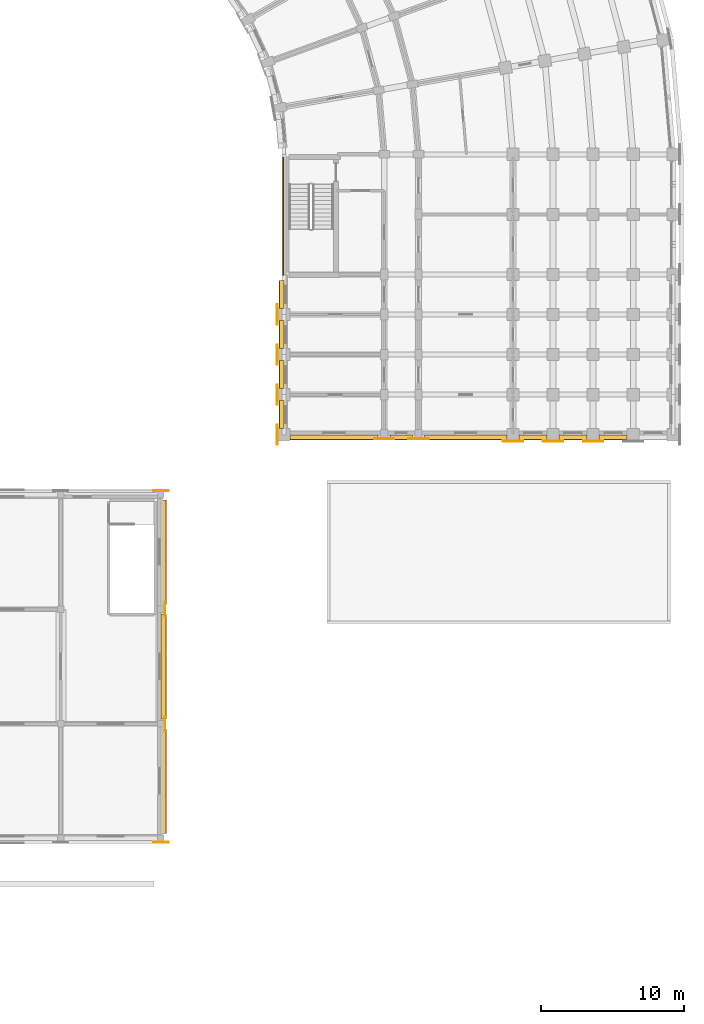
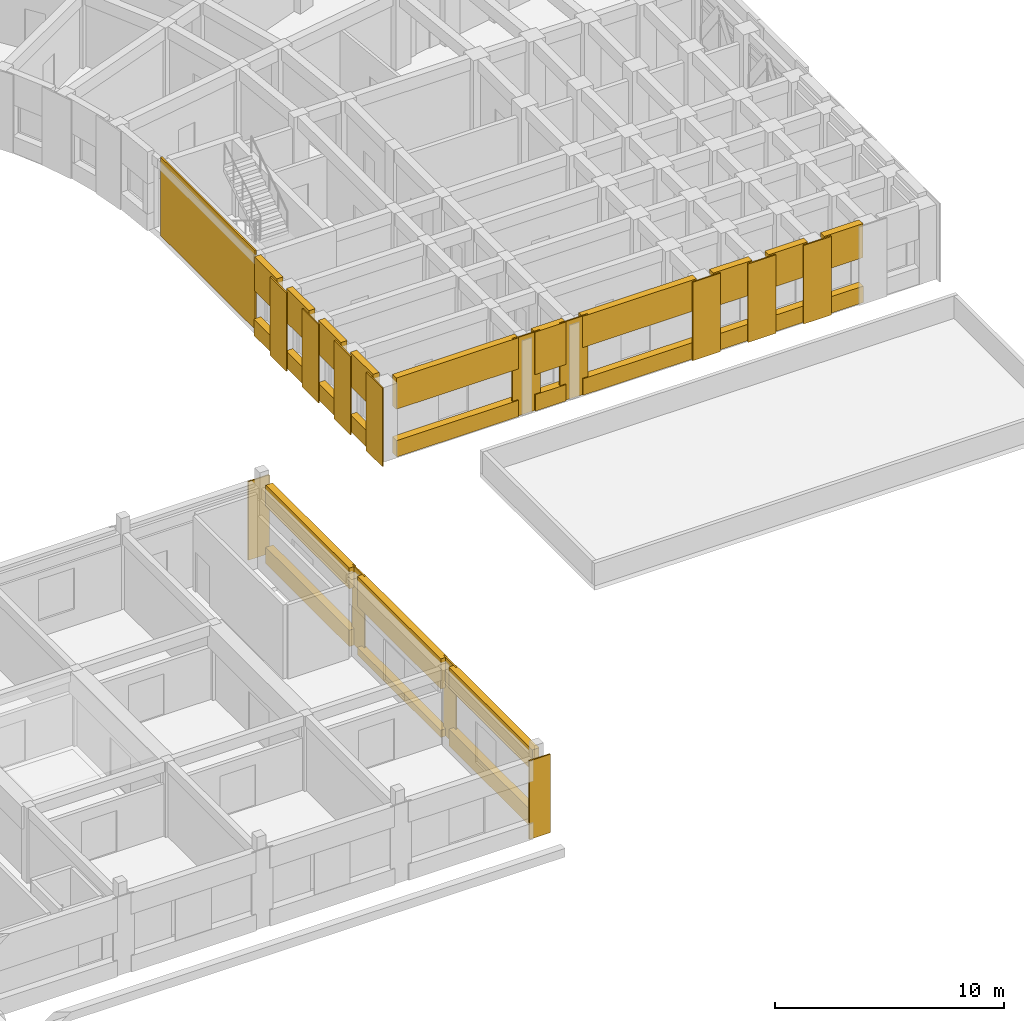
# One storey, part 94 of 97: 40 coverings.
"""IFC4 building model written with IfcOpenShell, lengths in metres."""

from ifc_helpers import new_model, si_unit, direction, frame, origin, place, context, subcontext, project, spatial, polyline, outline, extrude, material, layer, layer_set, type_object, element, save


model = new_model("IFC4")

# Units and contexts
model_context = context("Model", 3, precision=1e-05, world=origin(), true_north=direction((0.0, 1.0)))
body_context = subcontext(model_context, "Body", "Model", "MODEL_VIEW")
ifc_project = project(units=[si_unit("LENGTHUNIT", "METRE"), si_unit("AREAUNIT", "SQUARE_METRE"), si_unit("VOLUMEUNIT", "CUBIC_METRE"), si_unit("PLANEANGLEUNIT", "RADIAN"), si_unit("MASSUNIT", "GRAM", prefix="KILO")], contexts=[model_context])

# Site, building, storey
site_placement = place(None, origin())
site = spatial("IfcSite", under=ifc_project, at=site_placement, CompositionType="ELEMENT")
building_placement = place(site_placement, origin())
building = spatial("IfcBuilding", under=site, at=building_placement, Name="Kiranvali Square Residences", CompositionType="ELEMENT")
storey_placement = place(building_placement, frame((0.0, 0.0, 4.5)))
storey = spatial("IfcBuildingStorey", under=building, at=storey_placement, Name="L01", CompositionType="ELEMENT", Elevation=4.5)

# Coverings
ifc_material = material(Name="Honed Porbandar limestone ashlar facade cladding", Category="masonry")
ifc_layer_1 = layer(ifc_material, 0.06494140625)
ifc_layer_set_1 = layer_set([ifc_layer_1], Name="Honed Porbandar limestone ashlar facade cladding")
covering_type_1 = type_object("IfcCoveringType", Name="COV-CLAD-PIER", PredefinedType="CLADDING", material=ifc_layer_set_1)
covering_1_placement = place(storey_placement, frame((0.0, 0.0, 0.0048828125)))
element("IfcCovering", 1, at=covering_1_placement, inside=storey, type_object=covering_type_1, Name="Block B L01 Arm 2 stair limestone ashlar cladding", PredefinedType="CLADDING", context=body_context, shape_type="SweptSolid", body=[
    extrude(outline(polyline([(138.52001953125, 87.60009765625), (138.52001953125, 79.35009765625), (138.597900390625, 79.35009765625), (138.597900390625, 87.60009765625), (138.52001953125, 87.60009765625)])), origin(), (0.0, 0.0, 1.0), 4.190185546875),
])
covering_2_placement = place(storey_placement, frame((0.0, 0.0, 0.0048828125)))
element("IfcCovering", 2, at=covering_2_placement, inside=storey, type_object=covering_type_1, Name="L01 Classical limestone pilaster casing CLAD-RT-L01-S4", PredefinedType="CLADDING", context=body_context, shape_type="SweptSolid", body=[
    extrude(outline(polyline([(129.469970703125, 39.681884765625), (130.530029296875, 39.681884765625), (130.530029296875, 39.74951171875), (129.469970703125, 39.74951171875), (129.469970703125, 39.681884765625)])), origin(), (0.0, 0.0, 1.0), 4.190185546875),
])
covering_3_placement = place(storey_placement, frame((0.0, 0.0, 0.0048828125)))
element("IfcCovering", 3, at=covering_3_placement, inside=storey, type_object=covering_type_1, Name="L01 Classical limestone pilaster casing CLAD-RT-L01-N4", PredefinedType="CLADDING", context=body_context, shape_type="SweptSolid", body=[
    extrude(outline(polyline([(129.469970703125, 64.25048828125), (130.530029296875, 64.25048828125), (130.530029296875, 64.318115234375), (129.469970703125, 64.318115234375), (129.469970703125, 64.25048828125)])), origin(), (0.0, 0.0, 1.0), 4.190185546875),
])
covering_4_placement = place(storey_placement, frame((0.0, 0.0, 0.0048828125)))
element("IfcCovering", 4, at=covering_4_placement, inside=storey, type_object=covering_type_1, Name="L01 Classical limestone pilaster casing CLAD-RT-L01-E1", PredefinedType="CLADDING", context=body_context, shape_type="SweptSolid", body=[
    extrude(outline(polyline([(130.318115234375, 47.469970703125), (130.318115234375, 48.530029296875), (130.25048828125, 48.530029296875), (130.25048828125, 47.469970703125), (130.318115234375, 47.469970703125)])), origin(), (0.0, 0.0, 1.0), 4.190185546875),
])
covering_5_placement = place(storey_placement, frame((0.0, 0.0, 0.0048828125)))
element("IfcCovering", 5, at=covering_5_placement, inside=storey, type_object=covering_type_1, Name="L01 Classical limestone pilaster casing CLAD-RT-L01-E2", PredefinedType="CLADDING", context=body_context, shape_type="SweptSolid", body=[
    extrude(outline(polyline([(130.318115234375, 55.469970703125), (130.318115234375, 56.530029296875), (130.25048828125, 56.530029296875), (130.25048828125, 55.469970703125), (130.318115234375, 55.469970703125)])), origin(), (0.0, 0.0, 1.0), 4.190185546875),
])
ifc_layer_2 = layer(ifc_material, 0.050048828125)
ifc_layer_set_2 = layer_set([ifc_layer_2], Name="Honed Porbandar limestone ashlar facade cladding")
covering_type_2 = type_object("IfcCoveringType", Name="COV-CLAD-PIER-IN", PredefinedType="CLADDING", material=ifc_layer_set_2)
covering_6_placement = place(storey_placement, frame((0.0, 0.0, 0.0048828125)))
element("IfcCovering", 6, at=covering_6_placement, inside=storey, type_object=covering_type_2, Name="L01 Classical limestone pilaster casing CLAD-PRA2I-B-L01-V112", PredefinedType="CLADDING", context=body_context, shape_type="SweptSolid", body=[
    extrude(outline(polyline([(138.10693359375, 77.304931640625), (138.10693359375, 75.89501953125), (138.174560546875, 75.89501953125), (138.174560546875, 77.304931640625), (138.10693359375, 77.304931640625)])), origin(), (0.0, 0.0, 1.0), 4.190185546875),
])
covering_7_placement = place(storey_placement, frame((0.0, 0.0, 0.0048828125)))
element("IfcCovering", 7, at=covering_7_placement, inside=storey, type_object=covering_type_2, Name="L01 Classical limestone pilaster casing CLAD-PRA2I-B-L01-V140", PredefinedType="CLADDING", context=body_context, shape_type="SweptSolid", body=[
    extrude(outline(polyline([(138.10693359375, 74.5048828125), (138.10693359375, 73.094970703125), (138.174560546875, 73.094970703125), (138.174560546875, 74.5048828125), (138.10693359375, 74.5048828125)])), origin(), (0.0, 0.0, 1.0), 4.190185546875),
])
covering_8_placement = place(storey_placement, frame((0.0, 0.0, 0.0048828125)))
element("IfcCovering", 8, at=covering_8_placement, inside=storey, type_object=covering_type_2, Name="L01 Classical limestone pilaster casing CLAD-PRA2I-B-L01-V167", PredefinedType="CLADDING", context=body_context, shape_type="SweptSolid", body=[
    extrude(outline(polyline([(138.10693359375, 71.705078125), (138.10693359375, 70.294921875), (138.174560546875, 70.294921875), (138.174560546875, 71.705078125), (138.10693359375, 71.705078125)])), origin(), (0.0, 0.0, 1.0), 4.190185546875),
])
covering_9_placement = place(storey_placement, frame((0.0, 0.0, 0.0048828125)))
element("IfcCovering", 9, at=covering_9_placement, inside=storey, type_object=covering_type_2, Name="L01 Classical limestone pilaster casing CLAD-PRA2I-B-L01-V196", PredefinedType="CLADDING", context=body_context, shape_type="SweptSolid", body=[
    extrude(outline(polyline([(138.10693359375, 68.905029296875), (138.10693359375, 67.4951171875), (138.174560546875, 67.4951171875), (138.174560546875, 68.905029296875), (138.10693359375, 68.905029296875)])), origin(), (0.0, 0.0, 1.0), 4.190185546875),
])
ifc_layer_3 = layer(ifc_material, 0.054931640625)
ifc_layer_set_3 = layer_set([ifc_layer_3], Name="Honed Porbandar limestone ashlar facade cladding")
covering_type_3 = type_object("IfcCoveringType", Name="COV-CLAD-PIER-UP", PredefinedType="CLADDING", material=ifc_layer_set_3)
covering_10_placement = place(storey_placement, frame((0.0, 0.0, 0.0048828125)))
element("IfcCovering", 10, at=covering_10_placement, inside=storey, type_object=covering_type_3, Name="L01 Classical limestone pilaster casing CLAD-PRA2E-B-L01-R258", PredefinedType="CLADDING", context=body_context, shape_type="SweptSolid", body=[
    extrude(outline(polyline([(144.89501953125, 67.882080078125), (146.304931640625, 67.882080078125), (146.304931640625, 67.949462890625), (144.89501953125, 67.949462890625), (144.89501953125, 67.882080078125)])), origin(), (0.0, 0.0, 1.0), 4.190185546875),
])
covering_11_placement = place(storey_placement, frame((0.0, 0.0, 0.0048828125)))
element("IfcCovering", 11, at=covering_11_placement, inside=storey, type_object=covering_type_3, Name="L01 Classical limestone pilaster casing CLAD-PRA2E-B-L01-R282", PredefinedType="CLADDING", context=body_context, shape_type="SweptSolid", body=[
    extrude(outline(polyline([(147.294921875, 67.882080078125), (148.705078125, 67.882080078125), (148.705078125, 67.949462890625), (147.294921875, 67.949462890625), (147.294921875, 67.882080078125)])), origin(), (0.0, 0.0, 1.0), 4.190185546875),
])
covering_12_placement = place(storey_placement, frame((0.0, 0.0, 0.0048828125)))
element("IfcCovering", 12, at=covering_12_placement, inside=storey, type_object=covering_type_3, Name="L01 Classical limestone pilaster casing CLAD-PRA2E-B-L01-R348", PredefinedType="CLADDING", context=body_context, shape_type="SweptSolid", body=[
    extrude(outline(polyline([(153.89501953125, 67.70703125), (155.304931640625, 67.70703125), (155.304931640625, 67.7744140625), (153.89501953125, 67.7744140625), (153.89501953125, 67.70703125)])), origin(), (0.0, 0.0, 1.0), 4.190185546875),
])
covering_13_placement = place(storey_placement, frame((0.0, 0.0, 0.0048828125)))
element("IfcCovering", 13, at=covering_13_placement, inside=storey, type_object=covering_type_3, Name="L01 Classical limestone pilaster casing CLAD-PRA2E-B-L01-R376", PredefinedType="CLADDING", context=body_context, shape_type="SweptSolid", body=[
    extrude(outline(polyline([(156.695068359375, 67.70703125), (158.10498046875, 67.70703125), (158.10498046875, 67.7744140625), (156.695068359375, 67.7744140625), (156.695068359375, 67.70703125)])), origin(), (0.0, 0.0, 1.0), 4.190185546875),
])
covering_14_placement = place(storey_placement, frame((0.0, 0.0, 0.0048828125)))
element("IfcCovering", 14, at=covering_14_placement, inside=storey, type_object=covering_type_3, Name="L01 Classical limestone pilaster casing CLAD-PRA2E-B-L01-R404", PredefinedType="CLADDING", context=body_context, shape_type="SweptSolid", body=[
    extrude(outline(polyline([(159.4951171875, 67.70703125), (160.905029296875, 67.70703125), (160.905029296875, 67.7744140625), (159.4951171875, 67.7744140625), (159.4951171875, 67.70703125)])), origin(), (0.0, 0.0, 1.0), 4.190185546875),
])
ifc_layer_4 = layer(ifc_material, 0.360107421875)
ifc_layer_set_4 = layer_set([ifc_layer_4], Name="Honed Porbandar limestone ashlar facade cladding")
covering_type_4 = type_object("IfcCoveringType", Name="COV-CLAD-WALL", PredefinedType="CLADDING", material=ifc_layer_set_4)
covering_15_placement = place(storey_placement, frame((0.0, 0.0, 2.3798828125)))
element("IfcCovering", 15, at=covering_15_placement, inside=storey, type_object=covering_type_4, Name="L01 light limestone spandrel lintel B-L01-A2I-0", PredefinedType="CLADDING", context=body_context, shape_type="SweptSolid", body=[
    extrude(outline(polyline([(138.280029296875, 78.97998046875), (138.280029296875, 77.02001953125), (138.599609375, 77.02001953125), (138.599609375, 78.97998046875), (138.280029296875, 78.97998046875)])), origin(), (0.0, 0.0, 1.0), 1.815185546875),
])
covering_16_placement = place(storey_placement, frame((0.0, 0.0, 0.0048828125)))
element("IfcCovering", 16, at=covering_16_placement, inside=storey, type_object=covering_type_4, Name="L01 limestone window sill apron B-L01-A2I-0", PredefinedType="CLADDING", context=body_context, shape_type="SweptSolid", body=[
    extrude(outline(polyline([(138.25, 78.97998046875), (138.25, 77.02001953125), (138.599609375, 77.02001953125), (138.599609375, 78.97998046875), (138.25, 78.97998046875)])), origin(), (0.0, 0.0, 1.0), 0.875),
])
covering_17_placement = place(storey_placement, frame((0.0, 0.0, 2.3798828125)))
element("IfcCovering", 17, at=covering_17_placement, inside=storey, type_object=covering_type_4, Name="L01 light limestone spandrel lintel B-L01-A2I-1", PredefinedType="CLADDING", context=body_context, shape_type="SweptSolid", body=[
    extrude(outline(polyline([(138.280029296875, 76.179931640625), (138.280029296875, 74.219970703125), (138.599609375, 74.219970703125), (138.599609375, 76.179931640625), (138.280029296875, 76.179931640625)])), origin(), (0.0, 0.0, 1.0), 1.815185546875),
])
covering_18_placement = place(storey_placement, frame((0.0, 0.0, 0.0048828125)))
element("IfcCovering", 18, at=covering_18_placement, inside=storey, type_object=covering_type_4, Name="L01 limestone window sill apron B-L01-A2I-1", PredefinedType="CLADDING", context=body_context, shape_type="SweptSolid", body=[
    extrude(outline(polyline([(138.25, 76.179931640625), (138.25, 74.219970703125), (138.599609375, 74.219970703125), (138.599609375, 76.179931640625), (138.25, 76.179931640625)])), origin(), (0.0, 0.0, 1.0), 0.875),
])
covering_19_placement = place(storey_placement, frame((0.0, 0.0, 2.3798828125)))
element("IfcCovering", 19, at=covering_19_placement, inside=storey, type_object=covering_type_4, Name="L01 light limestone spandrel lintel B-L01-A2I-2", PredefinedType="CLADDING", context=body_context, shape_type="SweptSolid", body=[
    extrude(outline(polyline([(138.280029296875, 73.3798828125), (138.280029296875, 71.419921875), (138.599609375, 71.419921875), (138.599609375, 73.3798828125), (138.280029296875, 73.3798828125)])), origin(), (0.0, 0.0, 1.0), 1.815185546875),
])
covering_20_placement = place(storey_placement, frame((0.0, 0.0, 0.0048828125)))
element("IfcCovering", 20, at=covering_20_placement, inside=storey, type_object=covering_type_4, Name="L01 limestone window sill apron B-L01-A2I-2", PredefinedType="CLADDING", context=body_context, shape_type="SweptSolid", body=[
    extrude(outline(polyline([(138.25, 73.3798828125), (138.25, 71.419921875), (138.599609375, 71.419921875), (138.599609375, 73.3798828125), (138.25, 73.3798828125)])), origin(), (0.0, 0.0, 1.0), 0.875),
])
covering_21_placement = place(storey_placement, frame((0.0, 0.0, 2.3798828125)))
element("IfcCovering", 21, at=covering_21_placement, inside=storey, type_object=covering_type_4, Name="L01 light limestone spandrel lintel B-L01-A2I-3", PredefinedType="CLADDING", context=body_context, shape_type="SweptSolid", body=[
    extrude(outline(polyline([(138.280029296875, 70.580078125), (138.280029296875, 68.6201171875), (138.599609375, 68.6201171875), (138.599609375, 70.580078125), (138.280029296875, 70.580078125)])), origin(), (0.0, 0.0, 1.0), 1.815185546875),
])
covering_22_placement = place(storey_placement, frame((0.0, 0.0, 0.0048828125)))
element("IfcCovering", 22, at=covering_22_placement, inside=storey, type_object=covering_type_4, Name="L01 limestone window sill apron B-L01-A2I-3", PredefinedType="CLADDING", context=body_context, shape_type="SweptSolid", body=[
    extrude(outline(polyline([(138.25, 70.580078125), (138.25, 68.6201171875), (138.599609375, 68.6201171875), (138.599609375, 70.580078125), (138.25, 70.580078125)])), origin(), (0.0, 0.0, 1.0), 0.875),
])
covering_23_placement = place(storey_placement, frame((0.0, 0.0, 2.530029296875)))
element("IfcCovering", 23, at=covering_23_placement, inside=storey, type_object=covering_type_4, Name="L01 light limestone spandrel lintel B-L01-A2END-0", PredefinedType="CLADDING", context=body_context, shape_type="SweptSolid", body=[
    extrude(outline(polyline([(139.02001953125, 67.860107421875), (145.179931640625, 67.860107421875), (145.179931640625, 68.199462890625), (139.02001953125, 68.199462890625), (139.02001953125, 67.860107421875)])), origin(), (0.0, 0.0, 1.0), 1.6650390625),
])
covering_24_placement = place(storey_placement, frame((0.0, 0.0, 0.0048828125)))
element("IfcCovering", 24, at=covering_24_placement, inside=storey, type_object=covering_type_4, Name="L01 limestone window sill apron B-L01-A2END-0", PredefinedType="CLADDING", context=body_context, shape_type="SweptSolid", body=[
    extrude(outline(polyline([(139.02001953125, 67.830078125), (145.179931640625, 67.830078125), (145.179931640625, 68.199462890625), (139.02001953125, 68.199462890625), (139.02001953125, 67.830078125)])), origin(), (0.0, 0.0, 1.0), 0.875),
])
covering_25_placement = place(storey_placement, frame((0.0, 0.0, 1.929931640625)))
element("IfcCovering", 25, at=covering_25_placement, inside=storey, type_object=covering_type_4, Name="L01 light limestone spandrel lintel B-L01-A2END-1", PredefinedType="CLADDING", context=body_context, shape_type="SweptSolid", body=[
    extrude(outline(polyline([(146.02001953125, 67.860107421875), (147.580078125, 67.860107421875), (147.580078125, 68.199462890625), (146.02001953125, 68.199462890625), (146.02001953125, 67.860107421875)])), origin(), (0.0, 0.0, 1.0), 2.26513671875),
])
covering_26_placement = place(storey_placement, frame((0.0, 0.0, 0.0048828125)))
element("IfcCovering", 26, at=covering_26_placement, inside=storey, type_object=covering_type_4, Name="L01 limestone window sill apron B-L01-A2END-1", PredefinedType="CLADDING", context=body_context, shape_type="SweptSolid", body=[
    extrude(outline(polyline([(146.02001953125, 67.830078125), (147.580078125, 67.830078125), (147.580078125, 68.199462890625), (146.02001953125, 68.199462890625), (146.02001953125, 67.830078125)])), origin(), (0.0, 0.0, 1.0), 0.875),
])
covering_27_placement = place(storey_placement, frame((0.0, 0.0, 2.530029296875)))
element("IfcCovering", 27, at=covering_27_placement, inside=storey, type_object=covering_type_4, Name="L01 light limestone spandrel lintel B-L01-A2END-2", PredefinedType="CLADDING", context=body_context, shape_type="SweptSolid", body=[
    extrude(outline(polyline([(148.419921875, 67.860107421875), (154.179931640625, 67.860107421875), (154.179931640625, 68.199462890625), (148.419921875, 68.199462890625), (148.419921875, 67.860107421875)])), origin(), (0.0, 0.0, 1.0), 1.6650390625),
])
covering_28_placement = place(storey_placement, frame((0.0, 0.0, 0.0048828125)))
element("IfcCovering", 28, at=covering_28_placement, inside=storey, type_object=covering_type_4, Name="L01 limestone window sill apron B-L01-A2END-2", PredefinedType="CLADDING", context=body_context, shape_type="SweptSolid", body=[
    extrude(outline(polyline([(148.419921875, 67.830078125), (154.179931640625, 67.830078125), (154.179931640625, 68.199462890625), (148.419921875, 68.199462890625), (148.419921875, 67.830078125)])), origin(), (0.0, 0.0, 1.0), 0.875),
])
covering_29_placement = place(storey_placement, frame((0.0, 0.0, 2.3798828125)))
element("IfcCovering", 29, at=covering_29_placement, inside=storey, type_object=covering_type_4, Name="L01 light limestone spandrel lintel B-L01-A2END-3", PredefinedType="CLADDING", context=body_context, shape_type="SweptSolid", body=[
    extrude(outline(polyline([(155.02001953125, 67.860107421875), (156.97998046875, 67.860107421875), (156.97998046875, 68.199462890625), (155.02001953125, 68.199462890625), (155.02001953125, 67.860107421875)])), origin(), (0.0, 0.0, 1.0), 1.815185546875),
])
covering_30_placement = place(storey_placement, frame((0.0, 0.0, 0.0048828125)))
element("IfcCovering", 30, at=covering_30_placement, inside=storey, type_object=covering_type_4, Name="L01 limestone window sill apron B-L01-A2END-3", PredefinedType="CLADDING", context=body_context, shape_type="SweptSolid", body=[
    extrude(outline(polyline([(155.02001953125, 67.830078125), (156.97998046875, 67.830078125), (156.97998046875, 68.199462890625), (155.02001953125, 68.199462890625), (155.02001953125, 67.830078125)])), origin(), (0.0, 0.0, 1.0), 0.875),
])
covering_31_placement = place(storey_placement, frame((0.0, 0.0, 2.3798828125)))
element("IfcCovering", 31, at=covering_31_placement, inside=storey, type_object=covering_type_4, Name="L01 light limestone spandrel lintel B-L01-A2END-4", PredefinedType="CLADDING", context=body_context, shape_type="SweptSolid", body=[
    extrude(outline(polyline([(157.820068359375, 67.860107421875), (159.780029296875, 67.860107421875), (159.780029296875, 68.199462890625), (157.820068359375, 68.199462890625), (157.820068359375, 67.860107421875)])), origin(), (0.0, 0.0, 1.0), 1.815185546875),
])
covering_32_placement = place(storey_placement, frame((0.0, 0.0, 0.0048828125)))
element("IfcCovering", 32, at=covering_32_placement, inside=storey, type_object=covering_type_4, Name="L01 limestone window sill apron B-L01-A2END-4", PredefinedType="CLADDING", context=body_context, shape_type="SweptSolid", body=[
    extrude(outline(polyline([(157.820068359375, 67.830078125), (159.780029296875, 67.830078125), (159.780029296875, 68.199462890625), (157.820068359375, 68.199462890625), (157.820068359375, 67.830078125)])), origin(), (0.0, 0.0, 1.0), 0.875),
])
covering_33_placement = place(storey_placement, frame((0.0, 0.0, 2.3798828125)))
element("IfcCovering", 33, at=covering_33_placement, inside=storey, type_object=covering_type_4, Name="L01 light limestone spandrel lintel B-L01-A2END-5", PredefinedType="CLADDING", context=body_context, shape_type="SweptSolid", body=[
    extrude(outline(polyline([(160.6201171875, 67.860107421875), (162.580078125, 67.860107421875), (162.580078125, 68.199462890625), (160.6201171875, 68.199462890625), (160.6201171875, 67.860107421875)])), origin(), (0.0, 0.0, 1.0), 1.815185546875),
])
covering_34_placement = place(storey_placement, frame((0.0, 0.0, 0.0048828125)))
element("IfcCovering", 34, at=covering_34_placement, inside=storey, type_object=covering_type_4, Name="L01 limestone window sill apron B-L01-A2END-5", PredefinedType="CLADDING", context=body_context, shape_type="SweptSolid", body=[
    extrude(outline(polyline([(160.6201171875, 67.830078125), (162.580078125, 67.830078125), (162.580078125, 68.199462890625), (160.6201171875, 68.199462890625), (160.6201171875, 67.830078125)])), origin(), (0.0, 0.0, 1.0), 0.875),
])
covering_35_placement = place(storey_placement, frame((0.0, 0.0, 3.080078125)))
element("IfcCovering", 35, at=covering_35_placement, inside=storey, type_object=covering_type_4, Name="L01 light limestone spandrel lintel RT-L01-E-0", PredefinedType="CLADDING", context=body_context, shape_type="SweptSolid", body=[
    extrude(outline(polyline([(130.35009765625, 40.35009765625), (130.35009765625, 47.64990234375), (130.00048828125, 47.64990234375), (130.00048828125, 40.35009765625), (130.35009765625, 40.35009765625)])), origin(), (0.0, 0.0, 1.0), 1.114990234375),
])
covering_36_placement = place(storey_placement, frame((0.0, 0.0, 0.0048828125)))
element("IfcCovering", 36, at=covering_36_placement, inside=storey, type_object=covering_type_4, Name="L01 limestone window sill apron RT-L01-E-0", PredefinedType="CLADDING", context=body_context, shape_type="SweptSolid", body=[
    extrude(outline(polyline([(130.3798828125, 40.35009765625), (130.3798828125, 47.64990234375), (130.00048828125, 47.64990234375), (130.00048828125, 40.35009765625), (130.3798828125, 40.35009765625)])), origin(), (0.0, 0.0, 1.0), 0.875),
])
covering_37_placement = place(storey_placement, frame((0.0, 0.0, 2.592041015625)))
element("IfcCovering", 37, at=covering_37_placement, inside=storey, type_object=covering_type_4, Name="L01 light limestone spandrel lintel RT-L01-E-1", PredefinedType="CLADDING", context=body_context, shape_type="SweptSolid", body=[
    extrude(outline(polyline([(130.35009765625, 48.35009765625), (130.35009765625, 55.64990234375), (130.00048828125, 55.64990234375), (130.00048828125, 48.35009765625), (130.35009765625, 48.35009765625)])), origin(), (0.0, 0.0, 1.0), 1.60302734375),
])
covering_38_placement = place(storey_placement, frame((0.0, 0.0, 0.0048828125)))
element("IfcCovering", 38, at=covering_38_placement, inside=storey, type_object=covering_type_4, Name="L01 limestone window sill apron RT-L01-E-1", PredefinedType="CLADDING", context=body_context, shape_type="SweptSolid", body=[
    extrude(outline(polyline([(130.3798828125, 48.35009765625), (130.3798828125, 55.64990234375), (130.00048828125, 55.64990234375), (130.00048828125, 48.35009765625), (130.3798828125, 48.35009765625)])), origin(), (0.0, 0.0, 1.0), 0.38720703125),
])
covering_39_placement = place(storey_placement, frame((0.0, 0.0, 3.080078125)))
element("IfcCovering", 39, at=covering_39_placement, inside=storey, type_object=covering_type_4, Name="L01 light limestone spandrel lintel RT-L01-E-2", PredefinedType="CLADDING", context=body_context, shape_type="SweptSolid", body=[
    extrude(outline(polyline([(130.35009765625, 56.35009765625), (130.35009765625, 63.64990234375), (130.00048828125, 63.64990234375), (130.00048828125, 56.35009765625), (130.35009765625, 56.35009765625)])), origin(), (0.0, 0.0, 1.0), 1.114990234375),
])
covering_40_placement = place(storey_placement, frame((0.0, 0.0, 0.0048828125)))
element("IfcCovering", 40, at=covering_40_placement, inside=storey, type_object=covering_type_4, Name="L01 limestone window sill apron RT-L01-E-2", PredefinedType="CLADDING", context=body_context, shape_type="SweptSolid", body=[
    extrude(outline(polyline([(130.3798828125, 56.35009765625), (130.3798828125, 63.64990234375), (130.00048828125, 63.64990234375), (130.00048828125, 56.35009765625), (130.3798828125, 56.35009765625)])), origin(), (0.0, 0.0, 1.0), 0.875),
])

save(model, "model.ifc")
